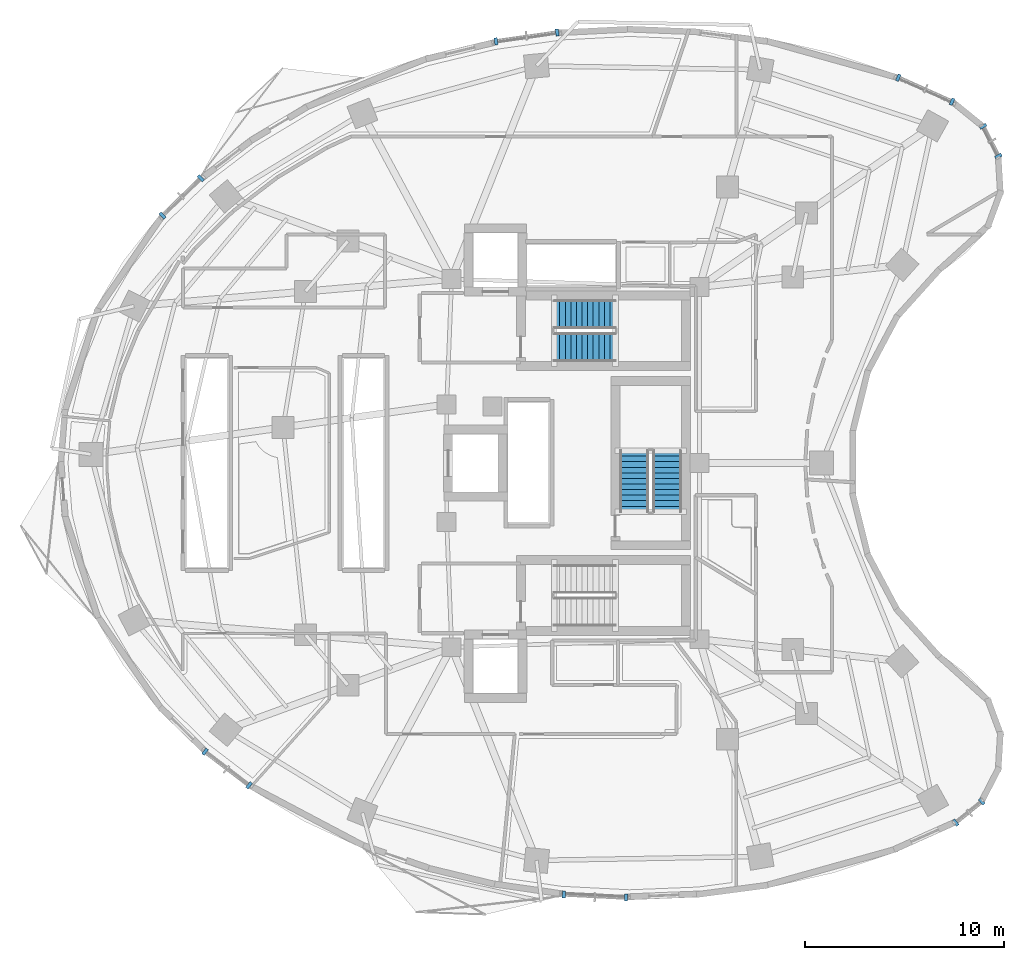
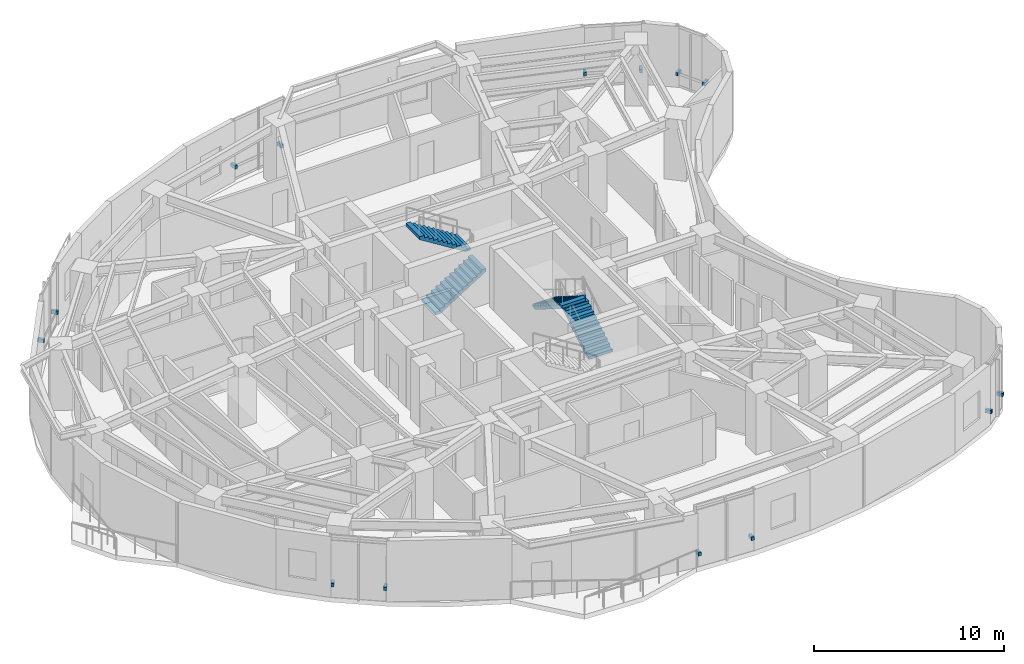
# One storey, part 11 of 14: 14 discrete accessories, 4 stair flights, 2 elements without a shape of their own.
"""IFC4 building model written with IfcOpenShell, lengths in metres."""

from ifc_helpers import new_model, si_unit, direction, frame, origin, origin_2d, place, context, subcontext, project, spatial, polyline, rectangle, outline, extrude, material, type_object, element, aggregate, save


model = new_model("IFC4")

# Units and contexts
model_context = context("Model", 3, precision=1e-05, world=origin(), true_north=direction((0.0, 1.0)))
body_context = subcontext(model_context, "Body", "Model", "MODEL_VIEW")
ifc_project = project(units=[si_unit("LENGTHUNIT", "METRE"), si_unit("AREAUNIT", "SQUARE_METRE"), si_unit("VOLUMEUNIT", "CUBIC_METRE"), si_unit("PLANEANGLEUNIT", "RADIAN"), si_unit("MASSUNIT", "GRAM", prefix="KILO")], contexts=[model_context])

# Site, building, storey
site_placement = place(None, origin())
site = spatial("IfcSite", under=ifc_project, at=site_placement, CompositionType="ELEMENT")
building_placement = place(site_placement, origin())
building = spatial("IfcBuilding", under=site, at=building_placement, Name="Korentha Bioscience Tower", CompositionType="ELEMENT")
storey_placement = place(building_placement, frame((0.0, 0.0, 90.0)))
storey = spatial("IfcBuildingStorey", under=building, at=storey_placement, Name="L20", CompositionType="ELEMENT", Elevation=90.0)

# Stair, stair flights
ifc_material_1 = material(Name="Precast Concrete C50", Category="concrete")
stair_type = type_object("IfcStairType", Name="Core Exit Dog-Leg Stair 1450", PredefinedType="HALF_TURN_STAIR", material=ifc_material_1)
stair_1_placement = place(storey_placement, origin())
stair_1 = element("IfcStair", 1, at=stair_1_placement, inside=storey, type_object=stair_type, Name="L20 Tower North Pressurized Exit Stair ST-1", PredefinedType="HALF_TURN_STAIR")
stair_flight_type = type_object("IfcStairFlightType", Name="Core Exit Dog-Leg Stair 1450 Flight", PredefinedType="STRAIGHT", material=ifc_material_1)
stair_flight_1_placement = place(storey_placement, frame((30.25, 32.824951171875, 0.0), z_axis=(0.0, 0.0, 1.0), x_axis=(1.0, 0.0, 0.0)))
stair_flight_1 = element("IfcStairFlight", 2, at=stair_flight_1_placement, type_object=stair_flight_type, Name="ST-1 flight 1", NumberOfRisers=12, NumberOfTreads=11, PredefinedType="STRAIGHT", RiserHeight=0.175, TreadLength=0.28, context=body_context, shape_type="SweptSolid", body=[
    extrude(outline(polyline([(0.0, 0.0), (0.0, 0.175048828125), (0.280029296875, 0.175048828125), (0.280029296875, 0.35009765625), (0.56005859375, 0.35009765625), (0.56005859375, 0.52490234375), (0.840087890625, 0.52490234375), (0.840087890625, 0.699951171875), (1.1201171875, 0.699951171875), (1.1201171875, 0.875), (1.39990234375, 0.875), (1.39990234375, 1.050048828125), (1.679931640625, 1.050048828125), (1.679931640625, 1.22509765625), (1.9599609375, 1.22509765625), (1.9599609375, 1.39990234375), (2.239990234375, 1.39990234375), (2.239990234375, 1.574951171875), (2.52001953125, 1.574951171875), (2.52001953125, 1.75), (2.800048828125, 1.75), (2.800048828125, 1.925048828125), (3.080078125, 1.925048828125), (3.080078125, 2.10009765625), (3.080078125, 1.736328125), (0.3017578125, 0.0), (0.0, 0.0)])), frame((0.0, 0.72509765625, 0.0), z_axis=(0.0, -1.0, 0.0), x_axis=(1.0, 0.0, 0.0)), (0.0, 0.0, 1.0), 1.449951171875),
])
stair_flight_2_placement = place(storey_placement, frame((33.330078125, 34.47509765625, 2.10009765625), z_axis=(0.0, 0.0, 1.0), x_axis=(-1.0, 0.0, 0.0)))
stair_flight_2 = element("IfcStairFlight", 3, at=stair_flight_2_placement, type_object=stair_flight_type, Name="ST-1 flight 2", NumberOfRisers=12, NumberOfTreads=11, PredefinedType="STRAIGHT", RiserHeight=0.175, TreadLength=0.28, context=body_context, shape_type="SweptSolid", body=[
    extrude(outline(polyline([(0.0, 0.0), (0.0, 0.175048828125), (0.280029296875, 0.175048828125), (0.280029296875, 0.35009765625), (0.56005859375, 0.35009765625), (0.56005859375, 0.52490234375), (0.840087890625, 0.52490234375), (0.840087890625, 0.699951171875), (1.1201171875, 0.699951171875), (1.1201171875, 0.875), (1.39990234375, 0.875), (1.39990234375, 1.050048828125), (1.679931640625, 1.050048828125), (1.679931640625, 1.22509765625), (1.9599609375, 1.22509765625), (1.9599609375, 1.39990234375), (2.239990234375, 1.39990234375), (2.239990234375, 1.574951171875), (2.52001953125, 1.574951171875), (2.52001953125, 1.75), (2.800048828125, 1.75), (2.800048828125, 1.925048828125), (3.080078125, 1.925048828125), (3.080078125, 2.10009765625), (3.080078125, 1.736328125), (0.3017578125, 0.0), (0.0, 0.0)])), frame((0.0, 0.72509765625, 0.0), z_axis=(0.0, -1.0, 0.0), x_axis=(1.0, 0.0, 0.0)), (0.0, 0.0, 1.0), 1.449951171875),
])
aggregate(stair_1, [stair_flight_1, stair_flight_2])

stair_2_placement = place(storey_placement, origin())
stair_2 = element("IfcStair", 4, at=stair_2_placement, inside=storey, type_object=stair_type, Name="L20 Tower Central Pressurized Exit Stair ST-3", PredefinedType="HALF_TURN_STAIR")
stair_flight_3_placement = place(storey_placement, frame((35.925048828125, 24.550048828125, 0.0), z_axis=(0.0, 0.0, 1.0), x_axis=(0.0, 1.0, 0.0)))
stair_flight_3 = element("IfcStairFlight", 5, at=stair_flight_3_placement, type_object=stair_flight_type, Name="ST-3 flight 1", NumberOfRisers=12, NumberOfTreads=11, PredefinedType="STRAIGHT", RiserHeight=0.175, TreadLength=0.28, context=body_context, shape_type="SweptSolid", body=[
    extrude(outline(polyline([(0.0, 0.0), (0.0, 0.175048828125), (0.280029296875, 0.175048828125), (0.280029296875, 0.35009765625), (0.56005859375, 0.35009765625), (0.56005859375, 0.52490234375), (0.840087890625, 0.52490234375), (0.840087890625, 0.699951171875), (1.1201171875, 0.699951171875), (1.1201171875, 0.875), (1.39990234375, 0.875), (1.39990234375, 1.050048828125), (1.679931640625, 1.050048828125), (1.679931640625, 1.22509765625), (1.9599609375, 1.22509765625), (1.9599609375, 1.39990234375), (2.239990234375, 1.39990234375), (2.239990234375, 1.574951171875), (2.52001953125, 1.574951171875), (2.52001953125, 1.75), (2.800048828125, 1.75), (2.800048828125, 1.925048828125), (3.080078125, 1.925048828125), (3.080078125, 2.10009765625), (3.080078125, 1.736328125), (0.3017578125, 0.0), (0.0, 0.0)])), frame((0.0, 0.72509765625, 0.0), z_axis=(0.0, -1.0, 0.0), x_axis=(1.0, 0.0, 0.0)), (0.0, 0.0, 1.0), 1.449951171875),
])
stair_flight_4_placement = place(storey_placement, frame((34.27490234375, 27.6298828125, 2.10009765625), z_axis=(0.0, 0.0, 1.0), x_axis=(0.0, -1.0, 0.0)))
stair_flight_4 = element("IfcStairFlight", 6, at=stair_flight_4_placement, type_object=stair_flight_type, Name="ST-3 flight 2", NumberOfRisers=12, NumberOfTreads=11, PredefinedType="STRAIGHT", RiserHeight=0.175, TreadLength=0.28, context=body_context, shape_type="SweptSolid", body=[
    extrude(outline(polyline([(0.0, 0.0), (0.0, 0.175048828125), (0.280029296875, 0.175048828125), (0.280029296875, 0.35009765625), (0.56005859375, 0.35009765625), (0.56005859375, 0.52490234375), (0.840087890625, 0.52490234375), (0.840087890625, 0.699951171875), (1.1201171875, 0.699951171875), (1.1201171875, 0.875), (1.39990234375, 0.875), (1.39990234375, 1.050048828125), (1.679931640625, 1.050048828125), (1.679931640625, 1.22509765625), (1.9599609375, 1.22509765625), (1.9599609375, 1.39990234375), (2.239990234375, 1.39990234375), (2.239990234375, 1.574951171875), (2.52001953125, 1.574951171875), (2.52001953125, 1.75), (2.800048828125, 1.75), (2.800048828125, 1.925048828125), (3.080078125, 1.925048828125), (3.080078125, 2.10009765625), (3.080078125, 1.736328125), (0.3017578125, 0.0), (0.0, 0.0)])), frame((0.0, 0.72509765625, 0.0), z_axis=(0.0, -1.0, 0.0), x_axis=(1.0, 0.0, 0.0)), (0.0, 0.0, 1.0), 1.449951171875),
])
aggregate(stair_2, [stair_flight_3, stair_flight_4])

# Discrete accessories
ifc_material_2 = material(Name="Stainless Steel 316", Category="steel")
discrete_accessory_type = type_object("IfcDiscreteAccessoryType", Name="Stainless Steel Solar-Screen Outrigger Bracket", PredefinedType="BRACKET", material=ifc_material_2)
for number, where, z_axis, x_axis, name in (
    (7, (50.241455078125, 45.161376953125, 0.740234375), (0.0, 0.0, 1.0), (-0.912686563127, 0.408660295952, 0.0), "CW-L20-01 Solar-Screen Support Bracket 1"),
    (8, (47.542236328125, 46.3701171875, 0.740234375), (0.0, 0.0, 1.0), (-0.912686563127, 0.408660295952, 0.0), "CW-L20-01 Solar-Screen Support Bracket 2"),
    (9, (30.40380859375, 48.635009765625, 0.740234375), (0.0, 0.0, 1.0), (-0.989738282326, -0.14289203091, 0.0), "CW-L20-07 Solar-Screen Support Bracket 1"),
    (10, (27.328369140625, 48.19091796875, 0.740234375), (0.0, 0.0, 1.0), (-0.989738282326, -0.14289203091, 0.0), "CW-L20-07 Solar-Screen Support Bracket 2"),
    (11, (12.496826171875, 41.316162109375, 0.740234375), (0.0, 0.0, 1.0), (-0.716095631804, -0.698002182025, 0.0), "CW-L20-13 Solar-Screen Support Bracket 1"),
    (12, (10.5673828125, 39.435302734375, 0.740234375), (0.0, 0.0, 1.0), (-0.716095631804, -0.698002182025, 0.0), "CW-L20-13 Solar-Screen Support Bracket 2"),
    (13, (12.708740234375, 12.501220703125, 0.740234375), (0.0, 0.0, 1.0), (0.794499603893, -0.607264669986, 0.0), "CW-L20-25 Solar-Screen Support Bracket 1"),
    (14, (14.920166015625, 10.810791015625, 0.740234375), (0.0, 0.0, 1.0), (0.794499603893, -0.607264669986, 0.0), "CW-L20-25 Solar-Screen Support Bracket 2"),
    (15, (30.737060546875, 5.33251953125, 0.740234375), (0.0, 0.0, 1.0), (0.998673231344, -0.051495407527, 0.0), "CW-L20-31 Solar-Screen Support Bracket 1"),
    (16, (33.860107421875, 5.17138671875, 0.740234375), (0.0, 0.0, 1.0), (0.998673231344, -0.051495407527, 0.0), "CW-L20-31 Solar-Screen Support Bracket 2"),
    (17, (50.423095703125, 8.93701171875, 0.740234375), (0.0, 0.0, 1.0), (0.777315301098, 0.629111216463, 0.0), "CW-L20-37 Solar-Screen Support Bracket 1"),
    (18, (51.734619140625, 9.998779296875, 0.740234375), (0.0, 0.0, 1.0), (0.777315301098, 0.629111216463, 0.0), "CW-L20-37 Solar-Screen Support Bracket 2"),
    (19, (52.571044921875, 42.42236328125, 0.740234375), (0.0, 0.0, 1.0), (-0.457613117169, 0.889151412862, 0.0), "CW-L20-61 Solar-Screen Support Bracket 1"),
    (20, (51.798828125, 43.922607421875, 0.740234375), (0.0, 0.0, 1.0), (-0.457613117169, 0.889151412862, 0.0), "CW-L20-61 Solar-Screen Support Bracket 2"),
):
    element("IfcDiscreteAccessory", number, at=place(storey_placement, frame(where, z_axis=z_axis, x_axis=x_axis)), inside=storey, type_object=discrete_accessory_type, Name=name, PredefinedType="BRACKET", context=body_context, shape_type="SweptSolid", body=[
        extrude(rectangle(XDim=0.159912109375, YDim=0.360107421875, at=origin_2d()), origin(), (0.0, 0.0, 1.0), 0.219970703125),
    ])

save(model, "model.ifc")
